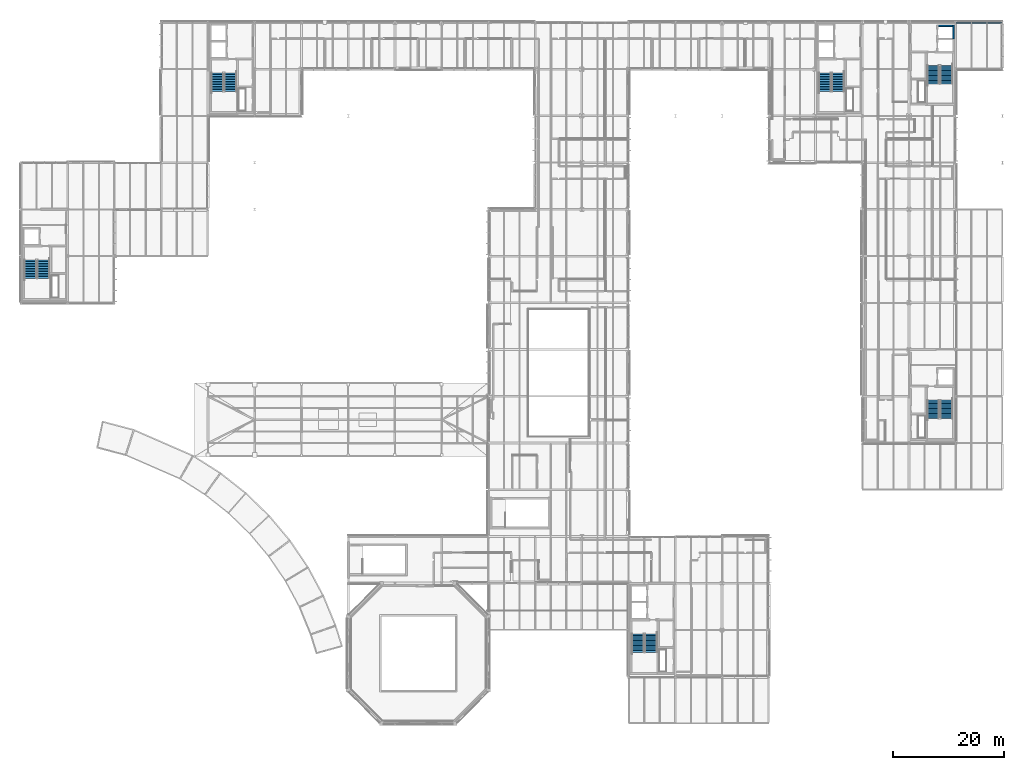
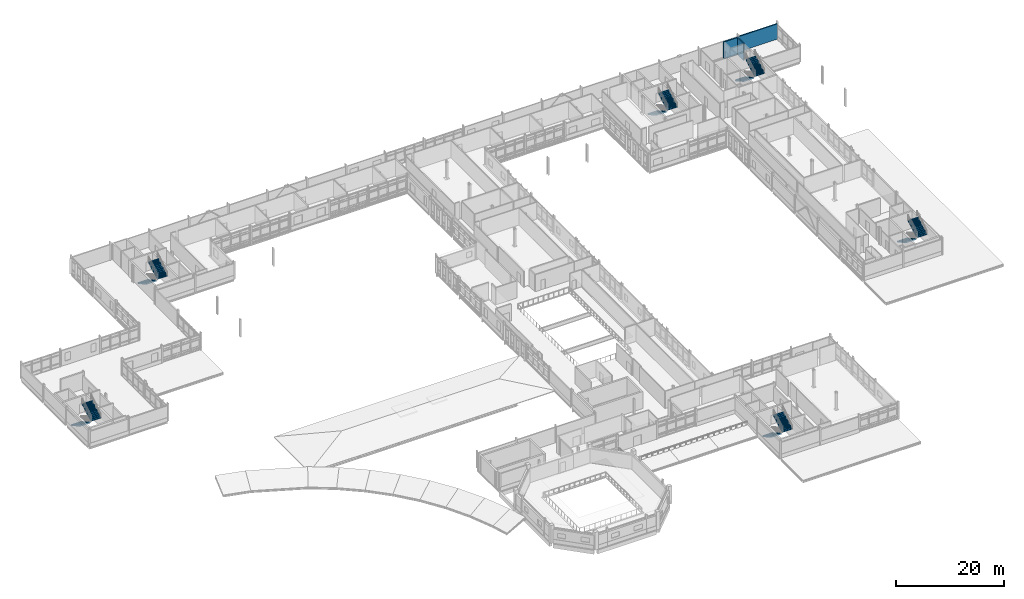
# One storey, part 132 of 151: 12 stair flights, 3 walls, 6 elements without a shape of their own.
"""IFC4 building model written with IfcOpenShell, lengths in metres."""

from ifc_helpers import new_model, si_unit, direction, frame, frame_2d, origin, place, context, subcontext, project, spatial, polyline, rectangle, outline, extrude, material, layer, layer_set, type_object, element, aggregate, save


model = new_model("IFC4")

# Units and contexts
model_context = context("Model", 3, precision=1e-05, world=origin(), true_north=direction((0.0, 1.0)))
body_context = subcontext(model_context, "Body", "Model", "MODEL_VIEW")
ifc_project = project(units=[si_unit("LENGTHUNIT", "METRE"), si_unit("AREAUNIT", "SQUARE_METRE"), si_unit("VOLUMEUNIT", "CUBIC_METRE"), si_unit("PLANEANGLEUNIT", "RADIAN"), si_unit("MASSUNIT", "GRAM", prefix="KILO")], contexts=[model_context])

# Site, building, storey
site_placement = place(None, origin())
site = spatial("IfcSite", under=ifc_project, at=site_placement, CompositionType="ELEMENT")
building_placement = place(site_placement, origin())
building = spatial("IfcBuilding", under=site, at=building_placement, Name="Mersafa Astral City Hall", CompositionType="ELEMENT")
storey_placement = place(building_placement, frame((0.0, 0.0, 9.89990234375)))
storey = spatial("IfcBuildingStorey", under=building, at=storey_placement, Name="L02", CompositionType="ELEMENT", Elevation=9.89990234375)

# Walls
ifc_material_1 = material(Name="Precast concrete C40/50 insulated limestone wall", Category="masonry")
ifc_layer_1 = layer(ifc_material_1, 0.264892578125, Name="Precast concrete C40/50 insulated limestone wall")
ifc_layer_set_1 = layer_set([ifc_layer_1], Name="Precast concrete C40/50 insulated limestone wall — ENV-WAL-EXT-265")
wall_type_1 = type_object("IfcWallType", Name="ENV-WAL-EXT-265", PredefinedType="STANDARD", material=ifc_layer_set_1)
wall_1_placement = place(storey_placement, frame((184.7919921875, 126.0, 0.0), z_axis=(0.0, 0.0, 1.0), x_axis=(-1.0, 0.0, 0.0)))
element("IfcWall", 1, at=wall_1_placement, inside=storey, type_object=wall_type_1, Name="L02 Limestone-clad exterior wall 189", PredefinedType="STANDARD", context=body_context, shape_type="SweptSolid", body=[
    extrude(rectangle(XDim=8.384033203125, YDim=0.264892578125, at=frame_2d((4.19189453125, 0.0))), origin(), (0.0, 0.0, 1.0), 3.47216796875),
])
ifc_material_2 = material(Name="Concrete C40/50", Category="concrete")
ifc_layer_2 = layer(ifc_material_2, 0.260009765625, Name="Concrete C40/50")
ifc_layer_set_2 = layer_set([ifc_layer_2], Name="Concrete C40/50 — INT-WAL-CORE-260")
wall_type_2 = type_object("IfcWallType", Name="INT-WAL-CORE-260", PredefinedType="SHEAR", material=ifc_layer_set_2)
wall_2_placement = place(storey_placement, frame((172.955078125, 125.39501953125, 0.0), z_axis=(0.0, 0.0, 1.0), x_axis=(1.0, 0.0, 0.0)))
element("IfcWall", 2, at=wall_2_placement, inside=storey, type_object=wall_type_2, Name="L02 Lift LF4 north shaft wall", PredefinedType="SHEAR", context=body_context, shape_type="SweptSolid", body=[
    extrude(rectangle(XDim=3.1298828125, YDim=0.260009765625, at=frame_2d((1.56494140625, 0.0))), origin(), (0.0, 0.0, 1.0), 3.840087890625),
])
wall_3_placement = place(storey_placement, frame((175.955078125, 122.985107421875, 0.0), z_axis=(0.0, 0.0, 1.0), x_axis=(0.0, 1.0, 0.0)))
element("IfcWall", 3, at=wall_3_placement, inside=storey, type_object=wall_type_2, Name="L02 Lift LF4 back shaft wall", PredefinedType="SHEAR", context=body_context, shape_type="SweptSolid", body=[
    extrude(rectangle(XDim=2.539794921875, YDim=0.260009765625, at=frame_2d((1.27001953125, 0.0))), origin(), (0.0, 0.0, 1.0), 3.840087890625),
])

# Stair, stair flights
stair_type = type_object("IfcStairType", Name="STAIR", PredefinedType="HALF_TURN_STAIR", material=ifc_material_2)
stair_1_placement = place(storey_placement, origin())
stair_1 = element("IfcStair", 4, at=stair_1_placement, inside=storey, type_object=stair_type, Name="L02 Protected Exit Stair ST1", PredefinedType="HALF_TURN_STAIR")
stair_flight_type = type_object("IfcStairFlightType", Name="STAIR-FLIGHT", PredefinedType="STRAIGHT", material=ifc_material_2)
stair_flight_1_placement = place(storey_placement, frame((152.8798828125, 116.89990234375, 0.0), z_axis=(0.0, 0.0, 1.0), x_axis=(0.0, -1.0, 0.0)))
stair_flight_1 = element("IfcStairFlight", 5, at=stair_flight_1_placement, type_object=stair_flight_type, Name="ST1 flight 1", NumberOfRisers=12, NumberOfTreads=11, PredefinedType="STRAIGHT", RiserHeight=0.16875, TreadLength=0.3, context=body_context, shape_type="SweptSolid", body=[
    extrude(outline(polyline([(-0.008056640625, -0.02197265625), (-0.008056640625, -0.010009765625), (-0.008056640625, 0.001953125), (-0.008056640625, 0.013671875), (-0.008056640625, 0.025634765625), (-0.008056640625, 0.03759765625), (-0.008056640625, 0.049560546875), (-0.008056640625, 0.0615234375), (-0.008056640625, 0.073486328125), (-0.008056640625, 0.085205078125), (-0.008056640625, 0.09716796875), (-0.008056640625, 0.109130859375), (-0.008056640625, 0.12109375), (-0.008056640625, 0.133056640625), (-0.008056640625, 0.14501953125), (-0.008056640625, 0.15673828125), (-0.008056640625, 0.168701171875), (0.300048828125, 0.168701171875), (0.300048828125, 0.33740234375), (0.60009765625, 0.33740234375), (0.60009765625, 0.50634765625), (0.89990234375, 0.50634765625), (0.89990234375, 0.675048828125), (1.199951171875, 0.675048828125), (1.199951171875, 0.84375), (1.5, 0.84375), (1.5, 1.012451171875), (1.800048828125, 1.012451171875), (1.800048828125, 1.18115234375), (2.10009765625, 1.18115234375), (2.10009765625, 1.35009765625), (2.39990234375, 1.35009765625), (2.39990234375, 1.518798828125), (2.699951171875, 1.518798828125), (2.699951171875, 1.6875), (3.0, 1.6875), (3.0, 1.856201171875), (3.300048828125, 1.856201171875), (3.300048828125, 2.02490234375), (3.30810546875, 2.02490234375), (3.30810546875, 2.003662109375), (3.30810546875, 1.982421875), (3.30810546875, 1.961181640625), (3.30810546875, 1.939697265625), (3.30810546875, 1.91845703125), (3.30810546875, 1.897216796875), (3.30810546875, 1.8759765625), (3.30810546875, 1.854736328125), (3.30810546875, 1.833251953125), (3.30810546875, 1.81201171875), (3.30810546875, 1.790771484375), (3.30810546875, 1.76953125), (3.30810546875, 1.748046875), (3.30810546875, 1.726806640625), (3.30810546875, 1.70556640625), (3.30810546875, 1.684326171875), (0.2666015625, -0.02197265625), (-0.008056640625, -0.02197265625)])), frame((0.0, 1.10009765625, 0.0), z_axis=(0.0, -1.0, 0.0), x_axis=(1.0, 0.0, 0.0)), (0.0, 0.0, 1.0), 2.199951171875),
])
stair_flight_2_placement = place(storey_placement, frame((155.239990234375, 113.60009765625, 2.025146484375), z_axis=(0.0, 0.0, 1.0), x_axis=(0.0, 1.0, 0.0)))
stair_flight_2 = element("IfcStairFlight", 6, at=stair_flight_2_placement, type_object=stair_flight_type, Name="ST1 flight 2", NumberOfRisers=12, NumberOfTreads=11, PredefinedType="STRAIGHT", RiserHeight=0.16875, TreadLength=0.3, context=body_context, shape_type="SweptSolid", body=[
    extrude(outline(polyline([(-0.008056640625, -0.02197265625), (-0.008056640625, -0.010009765625), (-0.008056640625, 0.001953125), (-0.008056640625, 0.013671875), (-0.008056640625, 0.025634765625), (-0.008056640625, 0.03759765625), (-0.008056640625, 0.049560546875), (-0.008056640625, 0.0615234375), (-0.008056640625, 0.073486328125), (-0.008056640625, 0.085205078125), (-0.008056640625, 0.09716796875), (-0.008056640625, 0.109130859375), (-0.008056640625, 0.12109375), (-0.008056640625, 0.133056640625), (-0.008056640625, 0.14501953125), (-0.008056640625, 0.15673828125), (-0.008056640625, 0.168701171875), (0.300048828125, 0.168701171875), (0.300048828125, 0.33740234375), (0.60009765625, 0.33740234375), (0.60009765625, 0.50634765625), (0.89990234375, 0.50634765625), (0.89990234375, 0.675048828125), (1.199951171875, 0.675048828125), (1.199951171875, 0.84375), (1.5, 0.84375), (1.5, 1.012451171875), (1.800048828125, 1.012451171875), (1.800048828125, 1.18115234375), (2.10009765625, 1.18115234375), (2.10009765625, 1.35009765625), (2.39990234375, 1.35009765625), (2.39990234375, 1.518798828125), (2.699951171875, 1.518798828125), (2.699951171875, 1.6875), (3.0, 1.6875), (3.0, 1.856201171875), (3.300048828125, 1.856201171875), (3.300048828125, 2.02490234375), (3.30810546875, 2.02490234375), (3.30810546875, 2.003662109375), (3.30810546875, 1.982421875), (3.30810546875, 1.961181640625), (3.30810546875, 1.939697265625), (3.30810546875, 1.91845703125), (3.30810546875, 1.897216796875), (3.30810546875, 1.8759765625), (3.30810546875, 1.854736328125), (3.30810546875, 1.833251953125), (3.30810546875, 1.81201171875), (3.30810546875, 1.790771484375), (3.30810546875, 1.76953125), (3.30810546875, 1.748046875), (3.30810546875, 1.726806640625), (3.30810546875, 1.70556640625), (3.30810546875, 1.684326171875), (0.2666015625, -0.02197265625), (-0.008056640625, -0.02197265625)])), frame((0.0, 1.10009765625, 0.0), z_axis=(0.0, -1.0, 0.0), x_axis=(1.0, 0.0, 0.0)), (0.0, 0.0, 1.0), 2.199951171875),
])
aggregate(stair_1, [stair_flight_1, stair_flight_2])

stair_2_placement = place(storey_placement, origin())
stair_2 = element("IfcStair", 7, at=stair_2_placement, inside=storey, type_object=stair_type, Name="L02 Protected Exit Stair ST2", PredefinedType="HALF_TURN_STAIR")
stair_flight_3_placement = place(storey_placement, frame((172.360107421875, 118.260009765625, 0.0), z_axis=(0.0, 0.0, 1.0), x_axis=(0.0, -1.0, 0.0)))
stair_flight_3 = element("IfcStairFlight", 8, at=stair_flight_3_placement, type_object=stair_flight_type, Name="ST2 flight 1", NumberOfRisers=12, NumberOfTreads=11, PredefinedType="STRAIGHT", RiserHeight=0.16875, TreadLength=0.3, context=body_context, shape_type="SweptSolid", body=[
    extrude(outline(polyline([(-0.008056640625, -0.02197265625), (-0.008056640625, -0.010009765625), (-0.008056640625, 0.001953125), (-0.008056640625, 0.013671875), (-0.008056640625, 0.025634765625), (-0.008056640625, 0.03759765625), (-0.008056640625, 0.049560546875), (-0.008056640625, 0.0615234375), (-0.008056640625, 0.073486328125), (-0.008056640625, 0.085205078125), (-0.008056640625, 0.09716796875), (-0.008056640625, 0.109130859375), (-0.008056640625, 0.12109375), (-0.008056640625, 0.133056640625), (-0.008056640625, 0.14501953125), (-0.008056640625, 0.15673828125), (-0.008056640625, 0.168701171875), (0.300048828125, 0.168701171875), (0.300048828125, 0.33740234375), (0.60009765625, 0.33740234375), (0.60009765625, 0.50634765625), (0.89990234375, 0.50634765625), (0.89990234375, 0.675048828125), (1.199951171875, 0.675048828125), (1.199951171875, 0.84375), (1.5, 0.84375), (1.5, 1.012451171875), (1.800048828125, 1.012451171875), (1.800048828125, 1.18115234375), (2.10009765625, 1.18115234375), (2.10009765625, 1.35009765625), (2.39990234375, 1.35009765625), (2.39990234375, 1.518798828125), (2.699951171875, 1.518798828125), (2.699951171875, 1.6875), (3.0, 1.6875), (3.0, 1.856201171875), (3.300048828125, 1.856201171875), (3.300048828125, 2.02490234375), (3.30810546875, 2.02490234375), (3.30810546875, 2.003662109375), (3.30810546875, 1.982421875), (3.30810546875, 1.961181640625), (3.30810546875, 1.939697265625), (3.30810546875, 1.91845703125), (3.30810546875, 1.897216796875), (3.30810546875, 1.8759765625), (3.30810546875, 1.854736328125), (3.30810546875, 1.833251953125), (3.30810546875, 1.81201171875), (3.30810546875, 1.790771484375), (3.30810546875, 1.76953125), (3.30810546875, 1.748046875), (3.30810546875, 1.726806640625), (3.30810546875, 1.70556640625), (3.30810546875, 1.684326171875), (0.2666015625, -0.02197265625), (-0.008056640625, -0.02197265625)])), frame((0.0, 1.10009765625, 0.0), z_axis=(0.0, -1.0, 0.0), x_axis=(1.0, 0.0, 0.0)), (0.0, 0.0, 1.0), 2.199951171875),
])
stair_flight_4_placement = place(storey_placement, frame((174.719970703125, 114.9599609375, 2.025146484375), z_axis=(0.0, 0.0, 1.0), x_axis=(0.0, 1.0, 0.0)))
stair_flight_4 = element("IfcStairFlight", 9, at=stair_flight_4_placement, type_object=stair_flight_type, Name="ST2 flight 2", NumberOfRisers=12, NumberOfTreads=11, PredefinedType="STRAIGHT", RiserHeight=0.16875, TreadLength=0.3, context=body_context, shape_type="SweptSolid", body=[
    extrude(outline(polyline([(-0.008056640625, -0.02197265625), (-0.008056640625, -0.010009765625), (-0.008056640625, 0.001953125), (-0.008056640625, 0.013671875), (-0.008056640625, 0.025634765625), (-0.008056640625, 0.03759765625), (-0.008056640625, 0.049560546875), (-0.008056640625, 0.0615234375), (-0.008056640625, 0.073486328125), (-0.008056640625, 0.085205078125), (-0.008056640625, 0.09716796875), (-0.008056640625, 0.109130859375), (-0.008056640625, 0.12109375), (-0.008056640625, 0.133056640625), (-0.008056640625, 0.14501953125), (-0.008056640625, 0.15673828125), (-0.008056640625, 0.168701171875), (0.300048828125, 0.168701171875), (0.300048828125, 0.33740234375), (0.60009765625, 0.33740234375), (0.60009765625, 0.50634765625), (0.89990234375, 0.50634765625), (0.89990234375, 0.675048828125), (1.199951171875, 0.675048828125), (1.199951171875, 0.84375), (1.5, 0.84375), (1.5, 1.012451171875), (1.800048828125, 1.012451171875), (1.800048828125, 1.18115234375), (2.10009765625, 1.18115234375), (2.10009765625, 1.35009765625), (2.39990234375, 1.35009765625), (2.39990234375, 1.518798828125), (2.699951171875, 1.518798828125), (2.699951171875, 1.6875), (3.0, 1.6875), (3.0, 1.856201171875), (3.300048828125, 1.856201171875), (3.300048828125, 2.02490234375), (3.30810546875, 2.02490234375), (3.30810546875, 2.003662109375), (3.30810546875, 1.982421875), (3.30810546875, 1.961181640625), (3.30810546875, 1.939697265625), (3.30810546875, 1.91845703125), (3.30810546875, 1.897216796875), (3.30810546875, 1.8759765625), (3.30810546875, 1.854736328125), (3.30810546875, 1.833251953125), (3.30810546875, 1.81201171875), (3.30810546875, 1.790771484375), (3.30810546875, 1.76953125), (3.30810546875, 1.748046875), (3.30810546875, 1.726806640625), (3.30810546875, 1.70556640625), (3.30810546875, 1.684326171875), (0.2666015625, -0.02197265625), (-0.008056640625, -0.02197265625)])), frame((0.0, 1.10009765625, 0.0), z_axis=(0.0, -1.0, 0.0), x_axis=(1.0, 0.0, 0.0)), (0.0, 0.0, 1.0), 2.199951171875),
])
aggregate(stair_2, [stair_flight_3, stair_flight_4])

stair_3_placement = place(storey_placement, origin())
stair_3 = element("IfcStair", 10, at=stair_3_placement, inside=storey, type_object=stair_type, Name="L02 Protected Exit Stair ST3", PredefinedType="HALF_TURN_STAIR")
stair_flight_5_placement = place(storey_placement, frame((43.679931640625, 116.89990234375, 0.0), z_axis=(0.0, 0.0, 1.0), x_axis=(0.0, -1.0, 0.0)))
stair_flight_5 = element("IfcStairFlight", 11, at=stair_flight_5_placement, type_object=stair_flight_type, Name="ST3 flight 1", NumberOfRisers=12, NumberOfTreads=11, PredefinedType="STRAIGHT", RiserHeight=0.16875, TreadLength=0.3, context=body_context, shape_type="SweptSolid", body=[
    extrude(outline(polyline([(-0.008056640625, -0.02197265625), (-0.008056640625, -0.010009765625), (-0.008056640625, 0.001953125), (-0.008056640625, 0.013671875), (-0.008056640625, 0.025634765625), (-0.008056640625, 0.03759765625), (-0.008056640625, 0.049560546875), (-0.008056640625, 0.0615234375), (-0.008056640625, 0.073486328125), (-0.008056640625, 0.085205078125), (-0.008056640625, 0.09716796875), (-0.008056640625, 0.109130859375), (-0.008056640625, 0.12109375), (-0.008056640625, 0.133056640625), (-0.008056640625, 0.14501953125), (-0.008056640625, 0.15673828125), (-0.008056640625, 0.168701171875), (0.300048828125, 0.168701171875), (0.300048828125, 0.33740234375), (0.60009765625, 0.33740234375), (0.60009765625, 0.50634765625), (0.89990234375, 0.50634765625), (0.89990234375, 0.675048828125), (1.199951171875, 0.675048828125), (1.199951171875, 0.84375), (1.5, 0.84375), (1.5, 1.012451171875), (1.800048828125, 1.012451171875), (1.800048828125, 1.18115234375), (2.10009765625, 1.18115234375), (2.10009765625, 1.35009765625), (2.39990234375, 1.35009765625), (2.39990234375, 1.518798828125), (2.699951171875, 1.518798828125), (2.699951171875, 1.6875), (3.0, 1.6875), (3.0, 1.856201171875), (3.300048828125, 1.856201171875), (3.300048828125, 2.02490234375), (3.30810546875, 2.02490234375), (3.30810546875, 2.003662109375), (3.30810546875, 1.982421875), (3.30810546875, 1.961181640625), (3.30810546875, 1.939697265625), (3.30810546875, 1.91845703125), (3.30810546875, 1.897216796875), (3.30810546875, 1.8759765625), (3.30810546875, 1.854736328125), (3.30810546875, 1.833251953125), (3.30810546875, 1.81201171875), (3.30810546875, 1.790771484375), (3.30810546875, 1.76953125), (3.30810546875, 1.748046875), (3.30810546875, 1.726806640625), (3.30810546875, 1.70556640625), (3.30810546875, 1.684326171875), (0.2666015625, -0.02197265625), (-0.008056640625, -0.02197265625)])), frame((0.0, 1.10009765625, 0.0), z_axis=(0.0, -1.0, 0.0), x_axis=(1.0, 0.0, 0.0)), (0.0, 0.0, 1.0), 2.199951171875),
])
stair_flight_6_placement = place(storey_placement, frame((46.0400390625, 113.60009765625, 2.025146484375), z_axis=(0.0, 0.0, 1.0), x_axis=(0.0, 1.0, 0.0)))
stair_flight_6 = element("IfcStairFlight", 12, at=stair_flight_6_placement, type_object=stair_flight_type, Name="ST3 flight 2", NumberOfRisers=12, NumberOfTreads=11, PredefinedType="STRAIGHT", RiserHeight=0.16875, TreadLength=0.3, context=body_context, shape_type="SweptSolid", body=[
    extrude(outline(polyline([(-0.008056640625, -0.02197265625), (-0.008056640625, -0.010009765625), (-0.008056640625, 0.001953125), (-0.008056640625, 0.013671875), (-0.008056640625, 0.025634765625), (-0.008056640625, 0.03759765625), (-0.008056640625, 0.049560546875), (-0.008056640625, 0.0615234375), (-0.008056640625, 0.073486328125), (-0.008056640625, 0.085205078125), (-0.008056640625, 0.09716796875), (-0.008056640625, 0.109130859375), (-0.008056640625, 0.12109375), (-0.008056640625, 0.133056640625), (-0.008056640625, 0.14501953125), (-0.008056640625, 0.15673828125), (-0.008056640625, 0.168701171875), (0.300048828125, 0.168701171875), (0.300048828125, 0.33740234375), (0.60009765625, 0.33740234375), (0.60009765625, 0.50634765625), (0.89990234375, 0.50634765625), (0.89990234375, 0.675048828125), (1.199951171875, 0.675048828125), (1.199951171875, 0.84375), (1.5, 0.84375), (1.5, 1.012451171875), (1.800048828125, 1.012451171875), (1.800048828125, 1.18115234375), (2.10009765625, 1.18115234375), (2.10009765625, 1.35009765625), (2.39990234375, 1.35009765625), (2.39990234375, 1.518798828125), (2.699951171875, 1.518798828125), (2.699951171875, 1.6875), (3.0, 1.6875), (3.0, 1.856201171875), (3.300048828125, 1.856201171875), (3.300048828125, 2.02490234375), (3.30810546875, 2.02490234375), (3.30810546875, 2.003662109375), (3.30810546875, 1.982421875), (3.30810546875, 1.961181640625), (3.30810546875, 1.939697265625), (3.30810546875, 1.91845703125), (3.30810546875, 1.897216796875), (3.30810546875, 1.8759765625), (3.30810546875, 1.854736328125), (3.30810546875, 1.833251953125), (3.30810546875, 1.81201171875), (3.30810546875, 1.790771484375), (3.30810546875, 1.76953125), (3.30810546875, 1.748046875), (3.30810546875, 1.726806640625), (3.30810546875, 1.70556640625), (3.30810546875, 1.684326171875), (0.2666015625, -0.02197265625), (-0.008056640625, -0.02197265625)])), frame((0.0, 1.10009765625, 0.0), z_axis=(0.0, -1.0, 0.0), x_axis=(1.0, 0.0, 0.0)), (0.0, 0.0, 1.0), 2.199951171875),
])
aggregate(stair_3, [stair_flight_5, stair_flight_6])

stair_4_placement = place(storey_placement, origin())
stair_4 = element("IfcStair", 13, at=stair_4_placement, inside=storey, type_object=stair_type, Name="L02 Protected Exit Stair ST4", PredefinedType="HALF_TURN_STAIR")
stair_flight_7_placement = place(storey_placement, frame((172.360107421875, 58.10009765625, 0.0), z_axis=(0.0, 0.0, 1.0), x_axis=(0.0, -1.0, 0.0)))
stair_flight_7 = element("IfcStairFlight", 14, at=stair_flight_7_placement, type_object=stair_flight_type, Name="ST4 flight 1", NumberOfRisers=12, NumberOfTreads=11, PredefinedType="STRAIGHT", RiserHeight=0.16875, TreadLength=0.3, context=body_context, shape_type="SweptSolid", body=[
    extrude(outline(polyline([(-0.008056640625, -0.02197265625), (-0.008056640625, -0.010009765625), (-0.008056640625, 0.001953125), (-0.008056640625, 0.013671875), (-0.008056640625, 0.025634765625), (-0.008056640625, 0.03759765625), (-0.008056640625, 0.049560546875), (-0.008056640625, 0.0615234375), (-0.008056640625, 0.073486328125), (-0.008056640625, 0.085205078125), (-0.008056640625, 0.09716796875), (-0.008056640625, 0.109130859375), (-0.008056640625, 0.12109375), (-0.008056640625, 0.133056640625), (-0.008056640625, 0.14501953125), (-0.008056640625, 0.15673828125), (-0.008056640625, 0.168701171875), (0.300048828125, 0.168701171875), (0.300048828125, 0.33740234375), (0.60009765625, 0.33740234375), (0.60009765625, 0.50634765625), (0.89990234375, 0.50634765625), (0.89990234375, 0.675048828125), (1.199951171875, 0.675048828125), (1.199951171875, 0.84375), (1.5, 0.84375), (1.5, 1.012451171875), (1.800048828125, 1.012451171875), (1.800048828125, 1.18115234375), (2.10009765625, 1.18115234375), (2.10009765625, 1.35009765625), (2.39990234375, 1.35009765625), (2.39990234375, 1.518798828125), (2.699951171875, 1.518798828125), (2.699951171875, 1.6875), (3.0, 1.6875), (3.0, 1.856201171875), (3.300048828125, 1.856201171875), (3.300048828125, 2.02490234375), (3.30810546875, 2.02490234375), (3.30810546875, 2.003662109375), (3.30810546875, 1.982421875), (3.30810546875, 1.961181640625), (3.30810546875, 1.939697265625), (3.30810546875, 1.91845703125), (3.30810546875, 1.897216796875), (3.30810546875, 1.8759765625), (3.30810546875, 1.854736328125), (3.30810546875, 1.833251953125), (3.30810546875, 1.81201171875), (3.30810546875, 1.790771484375), (3.30810546875, 1.76953125), (3.30810546875, 1.748046875), (3.30810546875, 1.726806640625), (3.30810546875, 1.70556640625), (3.30810546875, 1.684326171875), (0.2666015625, -0.02197265625), (-0.008056640625, -0.02197265625)])), frame((0.0, 1.10009765625, 0.0), z_axis=(0.0, -1.0, 0.0), x_axis=(1.0, 0.0, 0.0)), (0.0, 0.0, 1.0), 2.199951171875),
])
stair_flight_8_placement = place(storey_placement, frame((174.719970703125, 54.800048828125, 2.025146484375), z_axis=(0.0, 0.0, 1.0), x_axis=(0.0, 1.0, 0.0)))
stair_flight_8 = element("IfcStairFlight", 15, at=stair_flight_8_placement, type_object=stair_flight_type, Name="ST4 flight 2", NumberOfRisers=12, NumberOfTreads=11, PredefinedType="STRAIGHT", RiserHeight=0.16875, TreadLength=0.3, context=body_context, shape_type="SweptSolid", body=[
    extrude(outline(polyline([(-0.008056640625, -0.02197265625), (-0.008056640625, -0.010009765625), (-0.008056640625, 0.001953125), (-0.008056640625, 0.013671875), (-0.008056640625, 0.025634765625), (-0.008056640625, 0.03759765625), (-0.008056640625, 0.049560546875), (-0.008056640625, 0.0615234375), (-0.008056640625, 0.073486328125), (-0.008056640625, 0.085205078125), (-0.008056640625, 0.09716796875), (-0.008056640625, 0.109130859375), (-0.008056640625, 0.12109375), (-0.008056640625, 0.133056640625), (-0.008056640625, 0.14501953125), (-0.008056640625, 0.15673828125), (-0.008056640625, 0.168701171875), (0.300048828125, 0.168701171875), (0.300048828125, 0.33740234375), (0.60009765625, 0.33740234375), (0.60009765625, 0.50634765625), (0.89990234375, 0.50634765625), (0.89990234375, 0.675048828125), (1.199951171875, 0.675048828125), (1.199951171875, 0.84375), (1.5, 0.84375), (1.5, 1.012451171875), (1.800048828125, 1.012451171875), (1.800048828125, 1.18115234375), (2.10009765625, 1.18115234375), (2.10009765625, 1.35009765625), (2.39990234375, 1.35009765625), (2.39990234375, 1.518798828125), (2.699951171875, 1.518798828125), (2.699951171875, 1.6875), (3.0, 1.6875), (3.0, 1.856201171875), (3.300048828125, 1.856201171875), (3.300048828125, 2.02490234375), (3.30810546875, 2.02490234375), (3.30810546875, 2.003662109375), (3.30810546875, 1.982421875), (3.30810546875, 1.961181640625), (3.30810546875, 1.939697265625), (3.30810546875, 1.91845703125), (3.30810546875, 1.897216796875), (3.30810546875, 1.8759765625), (3.30810546875, 1.854736328125), (3.30810546875, 1.833251953125), (3.30810546875, 1.81201171875), (3.30810546875, 1.790771484375), (3.30810546875, 1.76953125), (3.30810546875, 1.748046875), (3.30810546875, 1.726806640625), (3.30810546875, 1.70556640625), (3.30810546875, 1.684326171875), (0.2666015625, -0.02197265625), (-0.008056640625, -0.02197265625)])), frame((0.0, 1.10009765625, 0.0), z_axis=(0.0, -1.0, 0.0), x_axis=(1.0, 0.0, 0.0)), (0.0, 0.0, 1.0), 2.199951171875),
])
aggregate(stair_4, [stair_flight_7, stair_flight_8])

stair_5_placement = place(storey_placement, origin())
stair_5 = element("IfcStair", 16, at=stair_5_placement, inside=storey, type_object=stair_type, Name="L02 Protected Exit Stair ST5", PredefinedType="HALF_TURN_STAIR")
stair_flight_9_placement = place(storey_placement, frame((119.280029296875, 16.10009765625, 0.0), z_axis=(0.0, 0.0, 1.0), x_axis=(0.0, -1.0, 0.0)))
stair_flight_9 = element("IfcStairFlight", 17, at=stair_flight_9_placement, type_object=stair_flight_type, Name="ST5 flight 1", NumberOfRisers=12, NumberOfTreads=11, PredefinedType="STRAIGHT", RiserHeight=0.16875, TreadLength=0.3, context=body_context, shape_type="SweptSolid", body=[
    extrude(outline(polyline([(-0.008056640625, -0.02197265625), (-0.008056640625, -0.010009765625), (-0.008056640625, 0.001953125), (-0.008056640625, 0.013671875), (-0.008056640625, 0.025634765625), (-0.008056640625, 0.03759765625), (-0.008056640625, 0.049560546875), (-0.008056640625, 0.0615234375), (-0.008056640625, 0.073486328125), (-0.008056640625, 0.085205078125), (-0.008056640625, 0.09716796875), (-0.008056640625, 0.109130859375), (-0.008056640625, 0.12109375), (-0.008056640625, 0.133056640625), (-0.008056640625, 0.14501953125), (-0.008056640625, 0.15673828125), (-0.008056640625, 0.168701171875), (0.300048828125, 0.168701171875), (0.300048828125, 0.33740234375), (0.60009765625, 0.33740234375), (0.60009765625, 0.50634765625), (0.89990234375, 0.50634765625), (0.89990234375, 0.675048828125), (1.199951171875, 0.675048828125), (1.199951171875, 0.84375), (1.5, 0.84375), (1.5, 1.012451171875), (1.800048828125, 1.012451171875), (1.800048828125, 1.18115234375), (2.10009765625, 1.18115234375), (2.10009765625, 1.35009765625), (2.39990234375, 1.35009765625), (2.39990234375, 1.518798828125), (2.699951171875, 1.518798828125), (2.699951171875, 1.6875), (3.0, 1.6875), (3.0, 1.856201171875), (3.300048828125, 1.856201171875), (3.300048828125, 2.02490234375), (3.30810546875, 2.02490234375), (3.30810546875, 2.003662109375), (3.30810546875, 1.982421875), (3.30810546875, 1.961181640625), (3.30810546875, 1.939697265625), (3.30810546875, 1.91845703125), (3.30810546875, 1.897216796875), (3.30810546875, 1.8759765625), (3.30810546875, 1.854736328125), (3.30810546875, 1.833251953125), (3.30810546875, 1.81201171875), (3.30810546875, 1.790771484375), (3.30810546875, 1.76953125), (3.30810546875, 1.748046875), (3.30810546875, 1.726806640625), (3.30810546875, 1.70556640625), (3.30810546875, 1.684326171875), (0.2666015625, -0.02197265625), (-0.008056640625, -0.02197265625)])), frame((0.0, 1.10009765625, 0.0), z_axis=(0.0, -1.0, 0.0), x_axis=(1.0, 0.0, 0.0)), (0.0, 0.0, 1.0), 2.199951171875),
])
stair_flight_10_placement = place(storey_placement, frame((121.639892578125, 12.800048828125, 2.025146484375), z_axis=(0.0, 0.0, 1.0), x_axis=(0.0, 1.0, 0.0)))
stair_flight_10 = element("IfcStairFlight", 18, at=stair_flight_10_placement, type_object=stair_flight_type, Name="ST5 flight 2", NumberOfRisers=12, NumberOfTreads=11, PredefinedType="STRAIGHT", RiserHeight=0.16875, TreadLength=0.3, context=body_context, shape_type="SweptSolid", body=[
    extrude(outline(polyline([(-0.008056640625, -0.02197265625), (-0.008056640625, -0.010009765625), (-0.008056640625, 0.001953125), (-0.008056640625, 0.013671875), (-0.008056640625, 0.025634765625), (-0.008056640625, 0.03759765625), (-0.008056640625, 0.049560546875), (-0.008056640625, 0.0615234375), (-0.008056640625, 0.073486328125), (-0.008056640625, 0.085205078125), (-0.008056640625, 0.09716796875), (-0.008056640625, 0.109130859375), (-0.008056640625, 0.12109375), (-0.008056640625, 0.133056640625), (-0.008056640625, 0.14501953125), (-0.008056640625, 0.15673828125), (-0.008056640625, 0.168701171875), (0.300048828125, 0.168701171875), (0.300048828125, 0.33740234375), (0.60009765625, 0.33740234375), (0.60009765625, 0.50634765625), (0.89990234375, 0.50634765625), (0.89990234375, 0.675048828125), (1.199951171875, 0.675048828125), (1.199951171875, 0.84375), (1.5, 0.84375), (1.5, 1.012451171875), (1.800048828125, 1.012451171875), (1.800048828125, 1.18115234375), (2.10009765625, 1.18115234375), (2.10009765625, 1.35009765625), (2.39990234375, 1.35009765625), (2.39990234375, 1.518798828125), (2.699951171875, 1.518798828125), (2.699951171875, 1.6875), (3.0, 1.6875), (3.0, 1.856201171875), (3.300048828125, 1.856201171875), (3.300048828125, 2.02490234375), (3.30810546875, 2.02490234375), (3.30810546875, 2.003662109375), (3.30810546875, 1.982421875), (3.30810546875, 1.961181640625), (3.30810546875, 1.939697265625), (3.30810546875, 1.91845703125), (3.30810546875, 1.897216796875), (3.30810546875, 1.8759765625), (3.30810546875, 1.854736328125), (3.30810546875, 1.833251953125), (3.30810546875, 1.81201171875), (3.30810546875, 1.790771484375), (3.30810546875, 1.76953125), (3.30810546875, 1.748046875), (3.30810546875, 1.726806640625), (3.30810546875, 1.70556640625), (3.30810546875, 1.684326171875), (0.2666015625, -0.02197265625), (-0.008056640625, -0.02197265625)])), frame((0.0, 1.10009765625, 0.0), z_axis=(0.0, -1.0, 0.0), x_axis=(1.0, 0.0, 0.0)), (0.0, 0.0, 1.0), 2.199951171875),
])
aggregate(stair_5, [stair_flight_9, stair_flight_10])

stair_6_placement = place(storey_placement, origin())
stair_6 = element("IfcStair", 19, at=stair_6_placement, inside=storey, type_object=stair_type, Name="L02 Protected Exit Stair ST6", PredefinedType="HALF_TURN_STAIR")
stair_flight_11_placement = place(storey_placement, frame((10.080078125, 83.300048828125, 0.0), z_axis=(0.0, 0.0, 1.0), x_axis=(0.0, -1.0, 0.0)))
stair_flight_11 = element("IfcStairFlight", 20, at=stair_flight_11_placement, type_object=stair_flight_type, Name="ST6 flight 1", NumberOfRisers=12, NumberOfTreads=11, PredefinedType="STRAIGHT", RiserHeight=0.16875, TreadLength=0.3, context=body_context, shape_type="SweptSolid", body=[
    extrude(outline(polyline([(-0.008056640625, -0.02197265625), (-0.008056640625, -0.010009765625), (-0.008056640625, 0.001953125), (-0.008056640625, 0.013671875), (-0.008056640625, 0.025634765625), (-0.008056640625, 0.03759765625), (-0.008056640625, 0.049560546875), (-0.008056640625, 0.0615234375), (-0.008056640625, 0.073486328125), (-0.008056640625, 0.085205078125), (-0.008056640625, 0.09716796875), (-0.008056640625, 0.109130859375), (-0.008056640625, 0.12109375), (-0.008056640625, 0.133056640625), (-0.008056640625, 0.14501953125), (-0.008056640625, 0.15673828125), (-0.008056640625, 0.168701171875), (0.300048828125, 0.168701171875), (0.300048828125, 0.33740234375), (0.60009765625, 0.33740234375), (0.60009765625, 0.50634765625), (0.89990234375, 0.50634765625), (0.89990234375, 0.675048828125), (1.199951171875, 0.675048828125), (1.199951171875, 0.84375), (1.5, 0.84375), (1.5, 1.012451171875), (1.800048828125, 1.012451171875), (1.800048828125, 1.18115234375), (2.10009765625, 1.18115234375), (2.10009765625, 1.35009765625), (2.39990234375, 1.35009765625), (2.39990234375, 1.518798828125), (2.699951171875, 1.518798828125), (2.699951171875, 1.6875), (3.0, 1.6875), (3.0, 1.856201171875), (3.300048828125, 1.856201171875), (3.300048828125, 2.02490234375), (3.30810546875, 2.02490234375), (3.30810546875, 2.003662109375), (3.30810546875, 1.982421875), (3.30810546875, 1.961181640625), (3.30810546875, 1.939697265625), (3.30810546875, 1.91845703125), (3.30810546875, 1.897216796875), (3.30810546875, 1.8759765625), (3.30810546875, 1.854736328125), (3.30810546875, 1.833251953125), (3.30810546875, 1.81201171875), (3.30810546875, 1.790771484375), (3.30810546875, 1.76953125), (3.30810546875, 1.748046875), (3.30810546875, 1.726806640625), (3.30810546875, 1.70556640625), (3.30810546875, 1.684326171875), (0.2666015625, -0.02197265625), (-0.008056640625, -0.02197265625)])), frame((0.0, 1.10009765625, 0.0), z_axis=(0.0, -1.0, 0.0), x_axis=(1.0, 0.0, 0.0)), (0.0, 0.0, 1.0), 2.199951171875),
])
stair_flight_12_placement = place(storey_placement, frame((12.43994140625, 80.0, 2.025146484375), z_axis=(0.0, 0.0, 1.0), x_axis=(0.0, 1.0, 0.0)))
stair_flight_12 = element("IfcStairFlight", 21, at=stair_flight_12_placement, type_object=stair_flight_type, Name="ST6 flight 2", NumberOfRisers=12, NumberOfTreads=11, PredefinedType="STRAIGHT", RiserHeight=0.16875, TreadLength=0.3, context=body_context, shape_type="SweptSolid", body=[
    extrude(outline(polyline([(-0.008056640625, -0.02197265625), (-0.008056640625, -0.010009765625), (-0.008056640625, 0.001953125), (-0.008056640625, 0.013671875), (-0.008056640625, 0.025634765625), (-0.008056640625, 0.03759765625), (-0.008056640625, 0.049560546875), (-0.008056640625, 0.0615234375), (-0.008056640625, 0.073486328125), (-0.008056640625, 0.085205078125), (-0.008056640625, 0.09716796875), (-0.008056640625, 0.109130859375), (-0.008056640625, 0.12109375), (-0.008056640625, 0.133056640625), (-0.008056640625, 0.14501953125), (-0.008056640625, 0.15673828125), (-0.008056640625, 0.168701171875), (0.300048828125, 0.168701171875), (0.300048828125, 0.33740234375), (0.60009765625, 0.33740234375), (0.60009765625, 0.50634765625), (0.89990234375, 0.50634765625), (0.89990234375, 0.675048828125), (1.199951171875, 0.675048828125), (1.199951171875, 0.84375), (1.5, 0.84375), (1.5, 1.012451171875), (1.800048828125, 1.012451171875), (1.800048828125, 1.18115234375), (2.10009765625, 1.18115234375), (2.10009765625, 1.35009765625), (2.39990234375, 1.35009765625), (2.39990234375, 1.518798828125), (2.699951171875, 1.518798828125), (2.699951171875, 1.6875), (3.0, 1.6875), (3.0, 1.856201171875), (3.300048828125, 1.856201171875), (3.300048828125, 2.02490234375), (3.30810546875, 2.02490234375), (3.30810546875, 2.003662109375), (3.30810546875, 1.982421875), (3.30810546875, 1.961181640625), (3.30810546875, 1.939697265625), (3.30810546875, 1.91845703125), (3.30810546875, 1.897216796875), (3.30810546875, 1.8759765625), (3.30810546875, 1.854736328125), (3.30810546875, 1.833251953125), (3.30810546875, 1.81201171875), (3.30810546875, 1.790771484375), (3.30810546875, 1.76953125), (3.30810546875, 1.748046875), (3.30810546875, 1.726806640625), (3.30810546875, 1.70556640625), (3.30810546875, 1.684326171875), (0.2666015625, -0.02197265625), (-0.008056640625, -0.02197265625)])), frame((0.0, 1.10009765625, 0.0), z_axis=(0.0, -1.0, 0.0), x_axis=(1.0, 0.0, 0.0)), (0.0, 0.0, 1.0), 2.199951171875),
])
aggregate(stair_6, [stair_flight_11, stair_flight_12])

save(model, "model.ifc")
